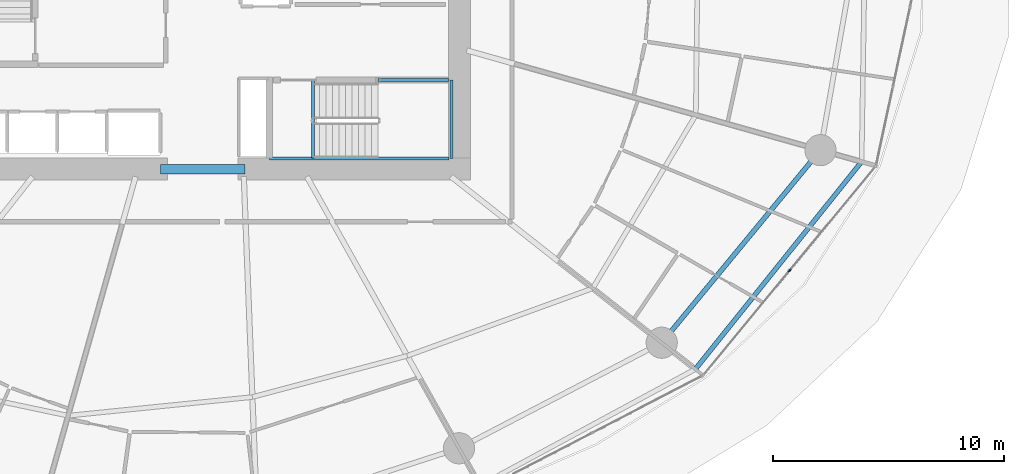
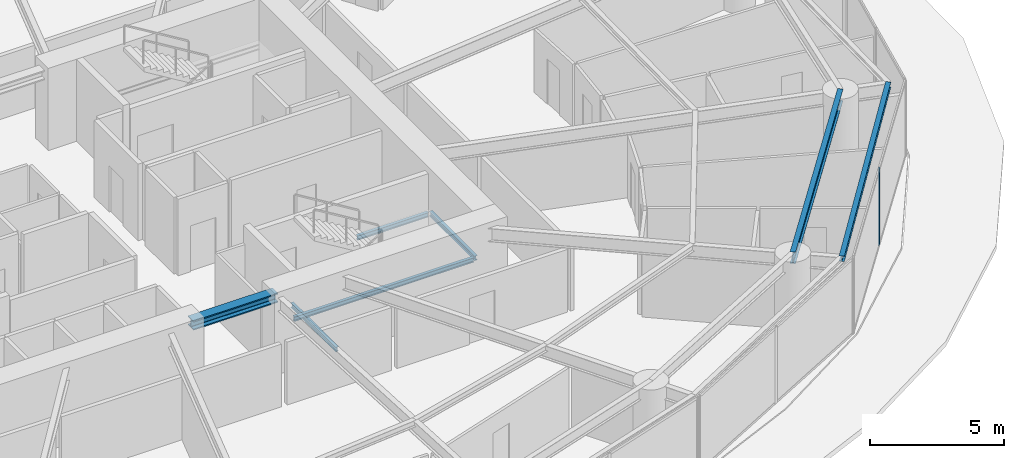
# One storey, part 9 of 22: 7 beams, 1 member, 1 element without a shape of its own.
"""IFC4 building model written with IfcOpenShell, lengths in metres."""

from ifc_helpers import new_model, si_unit, direction, frame, origin, origin_2d, place, context, subcontext, project, spatial, rectangle, i_section, extrude, material, layer, layer_set, material_profile, profile_set, type_object, element, aggregate, save


model = new_model("IFC4")

# Units and contexts
model_context = context("Model", 3, precision=1e-05, world=origin(), true_north=direction((0.0, 1.0)))
body_context = subcontext(model_context, "Body", "Model", "MODEL_VIEW")
ifc_project = project(units=[si_unit("LENGTHUNIT", "METRE"), si_unit("AREAUNIT", "SQUARE_METRE"), si_unit("VOLUMEUNIT", "CUBIC_METRE"), si_unit("PLANEANGLEUNIT", "RADIAN"), si_unit("MASSUNIT", "GRAM", prefix="KILO")], contexts=[model_context])

# Site, building, storey
site_placement = place(None, origin())
site = spatial("IfcSite", under=ifc_project, at=site_placement, CompositionType="ELEMENT")
building_placement = place(site_placement, origin())
building = spatial("IfcBuilding", under=site, at=building_placement, Name="Kazma Halo Residences", CompositionType="ELEMENT")
storey_placement = place(building_placement, frame((0.0, 0.0, 26.39990234375)))
storey = spatial("IfcBuildingStorey", under=building, at=storey_placement, Name="L05", CompositionType="ELEMENT", Elevation=26.39990234375)

# Beams
ifc_material_1 = material(Name="Steel S355", Category="steel")
ifc_material_profile_1 = material_profile(ifc_material_1, i_section(OverallWidth=0.201904296875, OverallDepth=0.2470703125, WebThickness=0.00732421875, FlangeThickness=0.010986328125, FilletRadius=0.011962890625, at=origin_2d()), Name="W250x49.1")
ifc_profile_set_1 = profile_set([ifc_material_profile_1], Name="Steel S355")
beam_type_1 = type_object("IfcBeamType", Name="BM-BAL-CANT", PredefinedType="BEAM", material=ifc_profile_set_1)
beam_1_placement = place(storey_placement, frame((69.728515625, 24.87060546875, 3.376708984375), z_axis=(0.625476617708, 0.780242911343, 0.0), x_axis=(-0.780242911343, 0.625476617708, 0.0)))
element("IfcBeam", 1, at=beam_1_placement, inside=storey, type_object=beam_type_1, Name="L05 wave-balcony tie beam 14", PredefinedType="BEAM", context=body_context, shape_type="SweptSolid", body=[
    extrude(i_section(OverallWidth=0.201904296875, OverallDepth=0.2470703125, WebThickness=0.00732421875, FlangeThickness=0.010986328125, FilletRadius=0.011962890625, at=origin_2d()), origin(), (0.0, 0.0, 1.0), 11.499755859375),
])
ifc_material_profile_2 = material_profile(ifc_material_1, i_section(OverallWidth=0.408935546875, OverallDepth=0.425048828125, WebThickness=0.03271484375, FlangeThickness=0.052490234375, FilletRadius=0.02001953125, at=origin_2d()), Name="W360x421")
ifc_profile_set_2 = profile_set([ifc_material_profile_2], Name="Steel S355")
beam_type_2 = type_object("IfcBeamType", Name="BM-CORE-W360H", PredefinedType="BEAM", material=ifc_profile_set_2)
beam_2_placement = place(storey_placement, frame((46.60009765625, 33.52490234375, 3.28759765625), z_axis=(1.0, 0.0, 0.0), x_axis=(0.0, 1.0, 0.0)))
element("IfcBeam", 2, at=beam_2_placement, inside=storey, type_object=beam_type_2, Name="L05 core coupling beam S", PredefinedType="BEAM", context=body_context, shape_type="SweptSolid", body=[
    extrude(i_section(OverallWidth=0.408935546875, OverallDepth=0.425048828125, WebThickness=0.03271484375, FlangeThickness=0.052490234375, FilletRadius=0.02001953125, at=origin_2d()), origin(), (0.0, 0.0, 1.0), 3.64990234375),
])
ifc_material_profile_3 = material_profile(ifc_material_1, i_section(OverallWidth=0.208984375, OverallDepth=0.532958984375, WebThickness=0.01025390625, FlangeThickness=0.015625, FilletRadius=0.01611328125, at=origin_2d()), Name="W530x92")
ifc_profile_set_3 = profile_set([ifc_material_profile_3], Name="Steel S355")
beam_type_3 = type_object("IfcBeamType", Name="BM-SPN-W530", PredefinedType="BEAM", material=ifc_profile_set_3)
beam_3_placement = place(storey_placement, frame((68.27587890625, 26.015869140625, 3.233642578125), z_axis=(0.636001336663, 0.771687954916, 0.0), x_axis=(-0.771687954916, 0.636001336663, 0.0)))
element("IfcBeam", 3, at=beam_3_placement, inside=storey, type_object=beam_type_3, Name="L05 perimeter ring beam 14", PredefinedType="BEAM", context=body_context, shape_type="SweptSolid", body=[
    extrude(i_section(OverallWidth=0.208984375, OverallDepth=0.532958984375, WebThickness=0.01025390625, FlangeThickness=0.015625, FilletRadius=0.01611328125, at=origin_2d()), origin(), (0.0, 0.0, 1.0), 10.7939453125),
])
ifc_material_profile_4 = material_profile(ifc_material_1, i_section(OverallWidth=0.133056640625, OverallDepth=0.20703125, WebThickness=0.005859375, FlangeThickness=0.00830078125, FilletRadius=0.010009765625, at=origin_2d()), Name="W200x26.6")
ifc_profile_set_4 = profile_set([ifc_material_profile_4], Name="Steel S355")
beam_type_4 = type_object("IfcBeamType", Name="BM-TRIM-W200", PredefinedType="BEAM", material=ifc_profile_set_4)
beam_4_placement = place(storey_placement, frame((53.199951171875, 34.0, -0.510009765625), z_axis=(0.0, 1.0, 0.0), x_axis=(-1.0, 0.0, 0.0)))
element("IfcBeam", 4, at=beam_4_placement, inside=storey, type_object=beam_type_4, Name="L05 ST-03 floor landing support beam", PredefinedType="BEAM", context=body_context, shape_type="SweptSolid", body=[
    extrude(i_section(OverallWidth=0.133056640625, OverallDepth=0.20703125, WebThickness=0.005859375, FlangeThickness=0.00830078125, FilletRadius=0.010009765625, at=origin_2d()), origin(), (0.0, 0.0, 1.0), 3.3798828125),
])
beam_5_placement = place(storey_placement, frame((51.31005859375, 33.97998046875, 1.570068359375), z_axis=(1.0, 0.0, 0.0), x_axis=(0.0, 1.0, 0.0)))
element("IfcBeam", 5, at=beam_5_placement, inside=storey, type_object=beam_type_4, Name="L05 ST-03 landing south wall ledger", PredefinedType="BEAM", context=body_context, shape_type="SweptSolid", body=[
    extrude(i_section(OverallWidth=0.133056640625, OverallDepth=0.20703125, WebThickness=0.005859375, FlangeThickness=0.00830078125, FilletRadius=0.010009765625, at=origin_2d()), origin(), (0.0, 0.0, 1.0), 7.760009765625),
])
beam_6_placement = place(storey_placement, frame((56.0, 37.3798828125, 1.570068359375), z_axis=(1.0, 0.0, 0.0), x_axis=(0.0, 1.0, 0.0)))
element("IfcBeam", 6, at=beam_6_placement, inside=storey, type_object=beam_type_4, Name="L05 ST-03 landing north wall ledger", PredefinedType="BEAM", context=body_context, shape_type="SweptSolid", body=[
    extrude(i_section(OverallWidth=0.133056640625, OverallDepth=0.20703125, WebThickness=0.005859375, FlangeThickness=0.00830078125, FilletRadius=0.010009765625, at=origin_2d()), origin(), (0.0, 0.0, 1.0), 3.070068359375),
])
beam_7_placement = place(storey_placement, frame((59.18994140625, 33.97998046875, 1.570068359375), z_axis=(0.0, 1.0, 0.0), x_axis=(-1.0, 0.0, 0.0)))
element("IfcBeam", 7, at=beam_7_placement, inside=storey, type_object=beam_type_4, Name="L05 ST-03 landing end wall ledger", PredefinedType="BEAM", context=body_context, shape_type="SweptSolid", body=[
    extrude(i_section(OverallWidth=0.133056640625, OverallDepth=0.20703125, WebThickness=0.005859375, FlangeThickness=0.00830078125, FilletRadius=0.010009765625, at=origin_2d()), origin(), (0.0, 0.0, 1.0), 3.39990234375),
])

# Curtain wall, member
ifc_material_2 = material(Name="Aluminium AW-6063 T6 and Triple-Silver Low-E Glass", Category="aluminium")
ifc_layer = layer(ifc_material_2, 0.159912109375)
ifc_layer_set = layer_set([ifc_layer], Name="Aluminium AW-6063 T6 and Triple-Silver Low-E Glass")
curtain_wall_type = type_object("IfcCurtainWallType", Name="CW-SYS-2", PredefinedType="NOTDEFINED", material=ifc_layer_set)
curtain_wall_placement = place(storey_placement, origin())
curtain_wall = element("IfcCurtainWall", 8, at=curtain_wall_placement, inside=storey, type_object=curtain_wall_type, Name="L05 unitised curtain wall B14", PredefinedType="NOTDEFINED")
ifc_material_3 = material(Name="Aluminium AW-6063 T6", Category="aluminium")
ifc_material_profile_5 = material_profile(ifc_material_3, rectangle(XDim=0.06005859375, YDim=0.159912109375, at=origin_2d()), Name="CWM-60x160")
ifc_profile_set_5 = profile_set([ifc_material_profile_5], Name="Aluminium AW-6063 T6")
member_type = type_object("IfcMemberType", Name="CW-SYS-2-MUL", PredefinedType="MULLION", material=ifc_profile_set_5)
member_placement = place(storey_placement, frame((73.805908203125, 29.13623046875, 0.0), z_axis=(0.0, 0.0, 1.0), x_axis=(-0.771135218369, 0.63667140268, 0.0)))
member = element("IfcMember", 9, at=member_placement, type_object=member_type, Name="CWS-2 mullion 2", PredefinedType="MULLION", context=body_context, shape_type="SweptSolid", body=[
    extrude(rectangle(XDim=0.06005859375, YDim=0.159912109375, at=origin_2d()), origin(), (0.0, 0.0, 1.0), 3.5),
])
aggregate(curtain_wall, [member])

save(model, "model.ifc")
